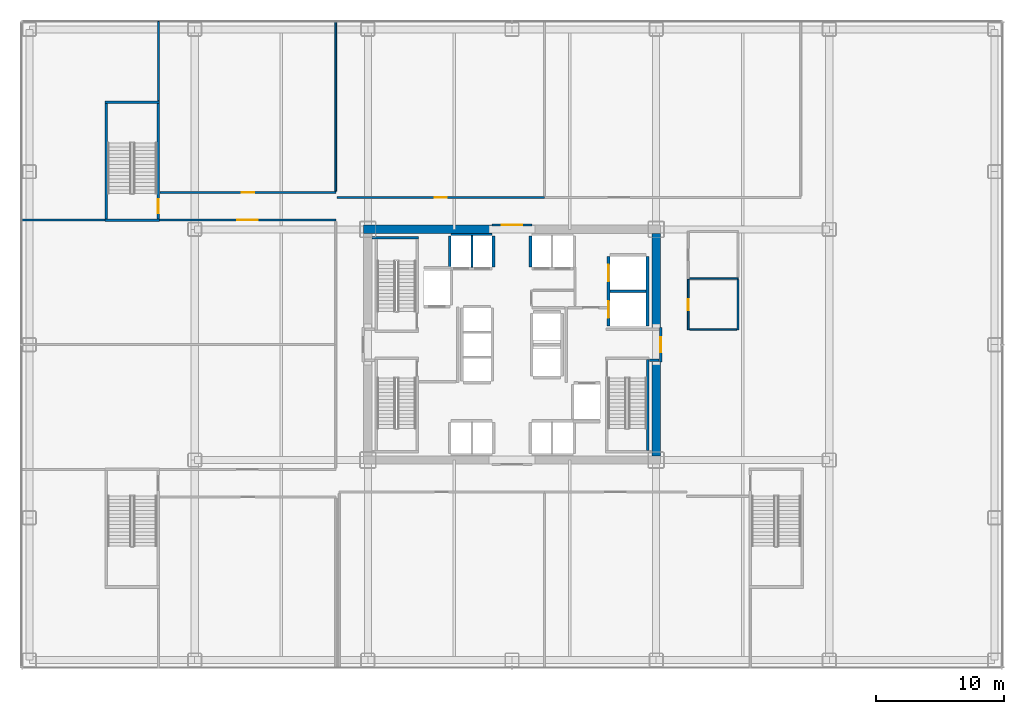
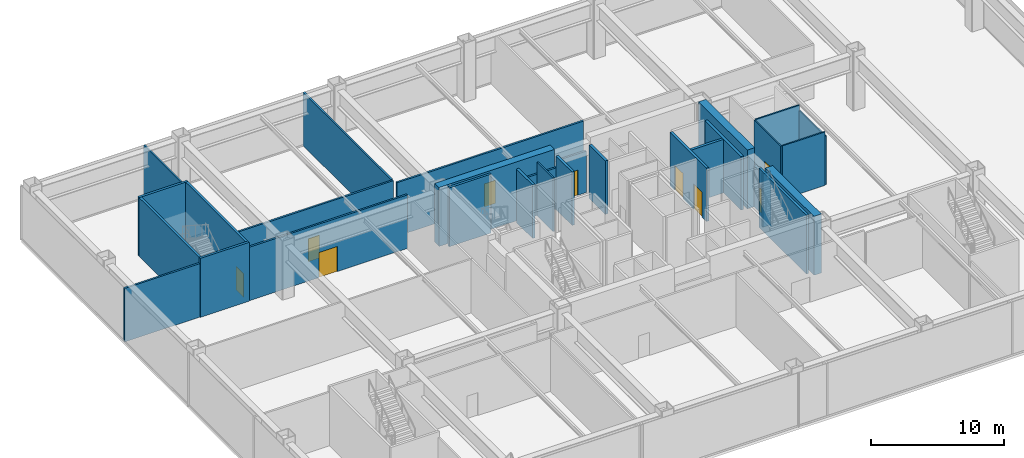
# One storey, part 19 of 24: 30 walls, 9 doors, 9 openings.
"""IFC4 building model written with IfcOpenShell, lengths in metres."""

from ifc_helpers import new_model, si_unit, direction, frame, frame_2d, origin, place, context, subcontext, project, spatial, rectangle, extrude, source, transform, mapped, material, layer, layer_set, type_object, element, fill, save


model = new_model("IFC4")

# Units and contexts
model_context = context("Model", 3, precision=1e-05, world=origin(), true_north=direction((0.0, 1.0)))
body_context = subcontext(model_context, "Body", "Model", "MODEL_VIEW")
ifc_project = project(units=[si_unit("LENGTHUNIT", "METRE"), si_unit("AREAUNIT", "SQUARE_METRE"), si_unit("VOLUMEUNIT", "CUBIC_METRE"), si_unit("PLANEANGLEUNIT", "RADIAN"), si_unit("MASSUNIT", "GRAM", prefix="KILO")], contexts=[model_context])

# Site, building, storey
site_placement = place(None, origin())
site = spatial("IfcSite", under=ifc_project, at=site_placement, CompositionType="ELEMENT")
building_placement = place(site_placement, origin())
building = spatial("IfcBuilding", under=site, at=building_placement, Name="Nefas-Gora Pilgrimage Tower", CompositionType="ELEMENT")
storey_placement = place(building_placement, frame((0.0, 0.0, 22.199951171875)))
storey = spatial("IfcBuildingStorey", under=building, at=storey_placement, Name="L04", CompositionType="ELEMENT", Elevation=22.199951171875)

# Walls
ifc_material_1 = material(Name="Concrete C60/75", Category="concrete")
ifc_layer_1 = layer(ifc_material_1, 0.64990234375)
ifc_layer_set_1 = layer_set([ifc_layer_1], Name="Concrete C60/75")
wall_type_1 = type_object("IfcWallType", Name="SW-CORE-650", PredefinedType="SHEAR", material=ifc_layer_set_1)
shared_shape_1 = source(origin(), body_context, "Body", "SweptSolid", [
    extrude(rectangle(XDim=10.02490234375, YDim=0.64990234375, at=frame_2d((5.012451171875, 0.0))), origin(), (0.0, 0.0, 1.0), 5.400146484375),
])
wall_1_placement = place(storey_placement, frame((-11.574951171875, 9.0, 0.0), z_axis=(0.0, 0.0, 1.0), x_axis=(1.0, 0.0, 0.0)))
element("IfcWall", 1, at=wall_1_placement, inside=storey, type_object=wall_type_1, Name="L04 Core Shear Wall N-West", PredefinedType="SHEAR", context=body_context, shape_type="MappedRepresentation", body=[
    mapped(shared_shape_1, transform((0.0, 0.0, 0.0), x_axis=(1.0, 0.0, 0.0), y_axis=(0.0, 1.0, 0.0), z_axis=(0.0, 0.0, 1.0), scale=1.0)),
])
shared_shape_2 = source(origin(), body_context, "Body", "SweptSolid", [
    extrude(rectangle(XDim=7.324951171875, YDim=0.64990234375, at=frame_2d((3.66259765625, 0.0))), origin(), (0.0, 0.0, 1.0), 5.400146484375),
])
for number, where, z_axis, x_axis, name in (
    (2, (11.25, -8.675048828125, 0.0), (0.0, 0.0, 1.0), (0.0, 1.0, 0.0), "L04 Core Shear Wall E-South"),
    (3, (11.25, 1.35009765625, 0.0), (0.0, 0.0, 1.0), (0.0, 1.0, 0.0), "L04 Core Shear Wall E-North"),
):
    element("IfcWall", number, at=place(storey_placement, frame(where, z_axis=z_axis, x_axis=x_axis)), inside=storey, type_object=wall_type_1, Name=name, PredefinedType="SHEAR", context=body_context, shape_type="MappedRepresentation", body=[
        mapped(shared_shape_2, transform((0.0, 0.0, 0.0), x_axis=(1.0, 0.0, 0.0), y_axis=(0.0, 1.0, 0.0), z_axis=(0.0, 0.0, 1.0), scale=1.0)),
    ])
ifc_material_2 = material(Name="Concrete C45/55", Category="concrete")
ifc_layer_2 = layer(ifc_material_2, 0.199951171875)
ifc_layer_set_2 = layer_set([ifc_layer_2], Name="Concrete C45/55")
wall_type_2 = type_object("IfcWallType", Name="IW-STAIR-200", PredefinedType="SOLIDWALL", material=ifc_layer_set_2)
shared_shape_3 = source(origin(), body_context, "Body", "SweptSolid", [
    extrude(rectangle(XDim=3.6298828125, YDim=0.199951171875, at=frame_2d((1.81494140625, 0.0))), origin(), (0.0, 0.0, 1.0), 5.400146484375),
])
wall_2_placement = place(storey_placement, frame((-7.300048828125, 8.35009765625, 0.0), z_axis=(0.0, 0.0, 1.0), x_axis=(-1.0, 0.0, 0.0)))
element("IfcWall", 4, at=wall_2_placement, inside=storey, type_object=wall_type_2, Name="L04 Stairwell Shear Wall ST-01-far", PredefinedType="SOLIDWALL", context=body_context, shape_type="MappedRepresentation", body=[
    mapped(shared_shape_3, transform((0.0, 0.0, 0.0), x_axis=(1.0, 0.0, 0.0), y_axis=(0.0, 1.0, 0.0), z_axis=(0.0, 0.0, 1.0), scale=1.0)),
])
shared_shape_4 = source(origin(), body_context, "Body", "SweptSolid", [
    extrude(rectangle(XDim=7.10009765625, YDim=0.199951171875, at=frame_2d((3.550048828125, 0.0))), origin(), (0.0, 0.0, 1.0), 5.400146484375),
])
wall_3_placement = place(storey_placement, frame((10.60009765625, -1.14990234375, 0.0), z_axis=(0.0, 0.0, 1.0), x_axis=(0.0, -1.0, 0.0)))
element("IfcWall", 5, at=wall_3_placement, inside=storey, type_object=wall_type_2, Name="L04 Stairwell Shear Wall ST-02-right", PredefinedType="SOLIDWALL", context=body_context, shape_type="MappedRepresentation", body=[
    mapped(shared_shape_4, transform((0.0, 0.0, 0.0), x_axis=(1.0, 0.0, 0.0), y_axis=(0.0, 1.0, 0.0), z_axis=(0.0, 0.0, 1.0), scale=1.0)),
])
shared_shape_5 = source(origin(), body_context, "Body", "SweptSolid", [
    extrude(rectangle(XDim=4.239990234375, YDim=0.199951171875, at=frame_2d((2.1201171875, 0.0))), origin(), (0.0, 0.0, 1.0), 5.400146484375),
])
for number, where, z_axis, x_axis, name in (
    (6, (-27.5, 9.699951171875, 0.0), (0.0, 0.0, 1.0), (-1.0, 0.0, 0.0), "L04 Stairwell Shear Wall ST-04-near"),
    (7, (-27.5, 18.89990234375, 0.0), (0.0, 0.0, 1.0), (-1.0, 0.0, 0.0), "L04 Stairwell Shear Wall ST-04-far"),
):
    element("IfcWall", number, at=place(storey_placement, frame(where, z_axis=z_axis, x_axis=x_axis)), inside=storey, type_object=wall_type_2, Name=name, PredefinedType="SOLIDWALL", context=body_context, shape_type="MappedRepresentation", body=[
        mapped(shared_shape_5, transform((0.0, 0.0, 0.0), x_axis=(1.0, 0.0, 0.0), y_axis=(0.0, 1.0, 0.0), z_axis=(0.0, 0.0, 1.0), scale=1.0)),
    ])

# Wall, opening, door
shared_shape_6 = source(origin(), body_context, "Body", "SweptSolid", [
    extrude(rectangle(XDim=9.0, YDim=0.199951171875, at=frame_2d((4.5, 0.0))), origin(), (0.0, 0.0, 1.0), 5.400146484375),
])
wall_4_placement = place(storey_placement, frame((-27.60009765625, 9.800048828125, 0.0), z_axis=(0.0, 0.0, 1.0), x_axis=(0.0, 1.0, 0.0)))
wall_4 = element("IfcWall", 8, at=wall_4_placement, inside=storey, type_object=wall_type_2, Name="L04 Stairwell Shear Wall ST-04-left", PredefinedType="SOLIDWALL", context=body_context, shape_type="MappedRepresentation", body=[
    mapped(shared_shape_6, transform((0.0, 0.0, 0.0), x_axis=(1.0, 0.0, 0.0), y_axis=(0.0, 1.0, 0.0), z_axis=(0.0, 0.0, 1.0), scale=1.0)),
])
opening_1_placement = place(wall_4_placement, frame((0.449951171875, 0.0, 0.0)))
opening_1 = element("IfcOpeningElement", 9, at=opening_1_placement, cuts=wall_4, Name="Opening ID-ST1", PredefinedType="OPENING", context=body_context, shape_type="SweptSolid", body=[
    extrude(rectangle(XDim=1.10009765625, YDim=2.14990234375, at=frame_2d((0.550048828125, 1.074951171875))), frame((0.0, 0.10986328125, 0.0), z_axis=(0.0, -1.0, 0.0), x_axis=(1.0, 0.0, 0.0)), (0.0, 0.0, 1.0), 0.219970703125),
])
ifc_material_3 = material(Name="Painted galvanised steel fire stair door", Category="steel")
door_type_1 = type_object("IfcDoorType", Name="DR-INT-STAIR-1100", OperationType="NOTDEFINED", PredefinedType="DOOR", material=ifc_material_3)
shared_shape_7 = source(origin(), body_context, "Body", "SweptSolid", [
    extrude(rectangle(XDim=1.10009765625, YDim=2.14990234375, at=frame_2d((0.550048828125, 1.074951171875))), frame((0.0, 0.02490234375, 0.0), z_axis=(0.0, -1.0, 0.0), x_axis=(1.0, 0.0, 0.0)), (0.0, 0.0, 1.0), 0.050048828125),
])
door_1_placement = place(opening_1_placement, origin())
door_1 = element("IfcDoor", 10, at=door_1_placement, inside=storey, type_object=door_type_1, Name="L04 Protected Exit Stair Door ST-04", OperationType="SINGLE_SWING_RIGHT", OverallHeight=2.14990234375, OverallWidth=1.10009765625, PredefinedType="DOOR", context=body_context, shape_type="MappedRepresentation", body=[
    mapped(shared_shape_7, transform((0.0, 0.0, 0.0), x_axis=(1.0, 0.0, 0.0), y_axis=(0.0, 1.0, 0.0), z_axis=(0.0, 0.0, 1.0), scale=1.0)),
])
fill(opening_1, door_1)

# Wall
wall_5_placement = place(storey_placement, frame((-31.639892578125, 9.800048828125, 0.0), z_axis=(0.0, 0.0, 1.0), x_axis=(0.0, 1.0, 0.0)))
element("IfcWall", 11, at=wall_5_placement, inside=storey, type_object=wall_type_2, Name="L04 Stairwell Shear Wall ST-04-right", PredefinedType="SOLIDWALL", context=body_context, shape_type="MappedRepresentation", body=[
    mapped(shared_shape_6, transform((0.0, 0.0, 0.0), x_axis=(1.0, 0.0, 0.0), y_axis=(0.0, 1.0, 0.0), z_axis=(0.0, 0.0, 1.0), scale=1.0)),
])

# Wall, openings, doors
ifc_material_4 = material(Name="Concrete C40/50", Category="concrete")
ifc_layer_3 = layer(ifc_material_4, 0.219970703125)
ifc_layer_set_3 = layer_set([ifc_layer_3], Name="Concrete C40/50")
wall_type_3 = type_object("IfcWallType", Name="IW-SHAFT-220", PredefinedType="SOLIDWALL", material=ifc_layer_set_3)
shared_shape_8 = source(origin(), body_context, "Body", "SweptSolid", [
    extrude(rectangle(XDim=5.449951171875, YDim=0.219970703125, at=frame_2d((2.72509765625, 0.0))), origin(), (0.0, 0.0, 1.0), 4.905029296875),
])
wall_6_placement = place(storey_placement, frame((7.5400390625, 6.89990234375, 0.0), z_axis=(0.0, 0.0, 1.0), x_axis=(0.0, -1.0, 0.0)))
wall_6 = element("IfcWall", 12, at=wall_6_placement, inside=storey, type_object=wall_type_3, Name="L04 Hoistway Wall SL-01-02-W", PredefinedType="SOLIDWALL", context=body_context, shape_type="MappedRepresentation", body=[
    mapped(shared_shape_8, transform((0.0, 0.0, 0.0), x_axis=(1.0, 0.0, 0.0), y_axis=(0.0, 1.0, 0.0), z_axis=(0.0, 0.0, 1.0), scale=1.0)),
])
opening_2_placement = place(wall_6_placement, frame((3.5, 0.0, 0.0)))
opening_2 = element("IfcOpeningElement", 13, at=opening_2_placement, cuts=wall_6, Name="Opening LD-SV", PredefinedType="OPENING", context=body_context, shape_type="SweptSolid", body=[
    extrude(rectangle(XDim=1.300048828125, YDim=2.300048828125, at=frame_2d((0.64990234375, 1.14990234375))), frame((0.0, 0.119873046875, 0.0), z_axis=(0.0, -1.0, 0.0), x_axis=(1.0, 0.0, 0.0)), (0.0, 0.0, 1.0), 0.239990234375),
])
opening_3_placement = place(wall_6_placement, frame((0.64990234375, 0.0, 0.0)))
opening_3 = element("IfcOpeningElement", 14, at=opening_3_placement, cuts=wall_6, Name="Opening LD-SV", PredefinedType="OPENING", context=body_context, shape_type="SweptSolid", body=[
    extrude(rectangle(XDim=1.300048828125, YDim=2.300048828125, at=frame_2d((0.64990234375, 1.14990234375))), frame((0.0, 0.119873046875, 0.0), z_axis=(0.0, -1.0, 0.0), x_axis=(1.0, 0.0, 0.0)), (0.0, 0.0, 1.0), 0.239990234375),
])
ifc_material_5 = material(Name="Heavy goods sliding lift landing door")
door_type_2 = type_object("IfcDoorType", Name="DR-LIFT-SERV-1300", OperationType="SLIDING_TO_RIGHT", PredefinedType="DOOR", material=ifc_material_5)
shared_shape_9 = source(origin(), body_context, "Body", "SweptSolid", [
    extrude(rectangle(XDim=1.300048828125, YDim=2.300048828125, at=frame_2d((0.64990234375, 1.14990234375))), frame((0.0, 0.02490234375, 0.0), z_axis=(0.0, -1.0, 0.0), x_axis=(1.0, 0.0, 0.0)), (0.0, 0.0, 1.0), 0.050048828125),
])
door_2_placement = place(opening_2_placement, origin())
door_2 = element("IfcDoor", 15, at=door_2_placement, inside=storey, type_object=door_type_2, Name="L04 Sliding Lift Landing Door SL-01", OperationType="SLIDING_TO_RIGHT", OverallHeight=2.300048828125, OverallWidth=1.300048828125, PredefinedType="DOOR", context=body_context, shape_type="MappedRepresentation", body=[
    mapped(shared_shape_9, transform((0.0, 0.0, 0.0), x_axis=(1.0, 0.0, 0.0), y_axis=(0.0, 1.0, 0.0), z_axis=(0.0, 0.0, 1.0), scale=1.0)),
])
fill(opening_2, door_2)
door_3_placement = place(opening_3_placement, origin())
door_3 = element("IfcDoor", 16, at=door_3_placement, inside=storey, type_object=door_type_2, Name="L04 Sliding Lift Landing Door SL-02", OperationType="SLIDING_TO_RIGHT", OverallHeight=2.300048828125, OverallWidth=1.300048828125, PredefinedType="DOOR", context=body_context, shape_type="MappedRepresentation", body=[
    mapped(shared_shape_9, transform((0.0, 0.0, 0.0), x_axis=(1.0, 0.0, 0.0), y_axis=(0.0, 1.0, 0.0), z_axis=(0.0, 0.0, 1.0), scale=1.0)),
])
fill(opening_3, door_3)

# Walls
wall_7_placement = place(storey_placement, frame((10.56005859375, 1.449951171875, 0.0), z_axis=(0.0, 0.0, 1.0), x_axis=(0.0, 1.0, 0.0)))
element("IfcWall", 17, at=wall_7_placement, inside=storey, type_object=wall_type_3, Name="L04 Hoistway Wall SL-01-02-E", PredefinedType="SOLIDWALL", context=body_context, shape_type="MappedRepresentation", body=[
    mapped(shared_shape_8, transform((0.0, 0.0, 0.0), x_axis=(1.0, 0.0, 0.0), y_axis=(0.0, 1.0, 0.0), z_axis=(0.0, 0.0, 1.0), scale=1.0)),
])
shared_shape_10 = source(origin(), body_context, "Body", "SweptSolid", [
    extrude(rectangle(XDim=2.780029296875, YDim=0.219970703125, at=frame_2d((1.39013671875, 0.0))), origin(), (0.0, 0.0, 1.0), 4.905029296875),
])
wall_8_placement = place(storey_placement, frame((7.659912109375, 4.175048828125, 0.0), z_axis=(0.0, 0.0, 1.0), x_axis=(1.0, 0.0, 0.0)))
element("IfcWall", 18, at=wall_8_placement, inside=storey, type_object=wall_type_3, Name="L04 Hoistway Wall SL-01-02-DIV", PredefinedType="SOLIDWALL", context=body_context, shape_type="MappedRepresentation", body=[
    mapped(shared_shape_10, transform((0.0, 0.0, 0.0), x_axis=(1.0, 0.0, 0.0), y_axis=(0.0, 1.0, 0.0), z_axis=(0.0, 0.0, 1.0), scale=1.0)),
])
ifc_material_6 = material(Name="Gypsum acoustic stud partition")
ifc_layer_4 = layer(ifc_material_6, 0.159912109375)
ifc_layer_set_4 = layer_set([ifc_layer_4], Name="Gypsum acoustic stud partition")
wall_type_4 = type_object("IfcWallType", Name="IW-CORR-160", PredefinedType="PARTITIONING", material=ifc_layer_set_4)
shared_shape_11 = source(origin(), body_context, "Body", "SweptSolid", [
    extrude(rectangle(XDim=3.199951171875, YDim=0.159912109375, at=frame_2d((1.60009765625, 0.0))), origin(), (0.0, 0.0, 1.0), 3.795166015625),
])
wall_9_placement = place(storey_placement, frame((-1.550048828125, 8.580078125, 0.0), z_axis=(0.0, 0.0, 1.0), x_axis=(-1.0, 0.0, 0.0)))
element("IfcWall", 19, at=wall_9_placement, inside=storey, type_object=wall_type_4, Name="L04 Hoistway Wall PL1-W-N", PredefinedType="PARTITIONING", context=body_context, shape_type="MappedRepresentation", body=[
    mapped(shared_shape_11, transform((0.0, 0.0, 0.0), x_axis=(1.0, 0.0, 0.0), y_axis=(0.0, 1.0, 0.0), z_axis=(0.0, 0.0, 1.0), scale=1.0)),
])
shared_shape_12 = source(origin(), body_context, "Body", "SweptSolid", [
    extrude(rectangle(XDim=2.429931640625, YDim=0.219970703125, at=frame_2d((1.21484375, 0.0))), origin(), (0.0, 0.0, 1.0), 4.905029296875),
])
for number, where, z_axis, x_axis, name in (
    (20, (-4.860107421875, 8.489990234375, 0.0), (0.0, 0.0, 1.0), (0.0, -1.0, 0.0), "L04 Hoistway Wall PL1-W-W"),
    (21, (-1.43994140625, 6.06005859375, 0.0), (0.0, 0.0, 1.0), (0.0, 1.0, 0.0), "L04 Hoistway Wall PL1-W-E"),
    (22, (1.43994140625, 8.489990234375, 0.0), (0.0, 0.0, 1.0), (0.0, -1.0, 0.0), "L04 Hoistway Wall PL1-E-W"),
):
    element("IfcWall", number, at=place(storey_placement, frame(where, z_axis=z_axis, x_axis=x_axis)), inside=storey, type_object=wall_type_3, Name=name, PredefinedType="SOLIDWALL", context=body_context, shape_type="MappedRepresentation", body=[
        mapped(shared_shape_12, transform((0.0, 0.0, 0.0), x_axis=(1.0, 0.0, 0.0), y_axis=(0.0, 1.0, 0.0), z_axis=(0.0, 0.0, 1.0), scale=1.0)),
    ])
ifc_material_7 = material(Name="Gypsum twin-stud partition")
ifc_layer_5 = layer(ifc_material_7, 0.139892578125)
ifc_layer_set_5 = layer_set([ifc_layer_5], Name="Gypsum twin-stud partition")
wall_type_5 = type_object("IfcWallType", Name="IW-UNIT-140", PredefinedType="PARTITIONING", material=ifc_layer_set_5)
shared_shape_13 = source(origin(), body_context, "Body", "SweptSolid", [
    extrude(rectangle(XDim=2.429931640625, YDim=0.139892578125, at=frame_2d((1.21484375, 0.0))), origin(), (0.0, 0.0, 1.0), 4.905029296875),
])
wall_10_placement = place(storey_placement, frame((-3.125, 6.06005859375, 0.0), z_axis=(0.0, 0.0, 1.0), x_axis=(0.0, 1.0, 0.0)))
element("IfcWall", 23, at=wall_10_placement, inside=storey, type_object=wall_type_5, Name="L04 Hoistway Wall PL1-W-DIV", PredefinedType="PARTITIONING", context=body_context, shape_type="MappedRepresentation", body=[
    mapped(shared_shape_13, transform((0.0, 0.0, 0.0), x_axis=(1.0, 0.0, 0.0), y_axis=(0.0, 1.0, 0.0), z_axis=(0.0, 0.0, 1.0), scale=1.0)),
])

# Wall, opening, door
ifc_material_8 = material(Name="Gypsum fire-rated shaftwall")
ifc_layer_6 = layer(ifc_material_8, 0.199951171875)
ifc_layer_set_6 = layer_set([ifc_layer_6], Name="Gypsum fire-rated shaftwall")
wall_type_6 = type_object("IfcWallType", Name="IW-FFLOB-200", PredefinedType="PARTITIONING", material=ifc_layer_set_6)
shared_shape_14 = source(origin(), body_context, "Body", "SweptSolid", [
    extrude(rectangle(XDim=2.7001953125, YDim=0.199951171875, at=frame_2d((1.35009765625, 0.0))), origin(), (0.0, 0.0, 1.0), 3.795166015625),
])
wall_11_placement = place(storey_placement, frame((11.60009765625, -1.35009765625, 0.0), z_axis=(0.0, 0.0, 1.0), x_axis=(0.0, 1.0, 0.0)))
wall_11 = element("IfcWall", 24, at=wall_11_placement, inside=storey, type_object=wall_type_6, Name="L04 FF Lobby East Portal Wall 8", PredefinedType="PARTITIONING", context=body_context, shape_type="MappedRepresentation", body=[
    mapped(shared_shape_14, transform((0.0, 0.0, 0.0), x_axis=(1.0, 0.0, 0.0), y_axis=(0.0, 1.0, 0.0), z_axis=(0.0, 0.0, 1.0), scale=1.0)),
])
opening_4_placement = place(wall_11_placement, frame((0.75, 0.0, 0.0)))
opening_4 = element("IfcOpeningElement", 25, at=opening_4_placement, cuts=wall_11, Name="Opening ID-FF1", PredefinedType="OPENING", context=body_context, shape_type="SweptSolid", body=[
    extrude(rectangle(XDim=1.199951171875, YDim=2.14990234375, at=frame_2d((0.60009765625, 1.074951171875))), frame((0.0, 0.10986328125, 0.0), z_axis=(0.0, -1.0, 0.0), x_axis=(1.0, 0.0, 0.0)), (0.0, 0.0, 1.0), 0.219970703125),
])
ifc_material_9 = material(Name="Smoke-sealed steel firefighting lobby door", Category="steel")
door_type_3 = type_object("IfcDoorType", Name="DR-INT-FFLOB-1200", OperationType="NOTDEFINED", PredefinedType="DOOR", material=ifc_material_9)
shared_shape_15 = source(origin(), body_context, "Body", "SweptSolid", [
    extrude(rectangle(XDim=1.199951171875, YDim=2.14990234375, at=frame_2d((0.60009765625, 1.074951171875))), frame((0.0, 0.02490234375, 0.0), z_axis=(0.0, -1.0, 0.0), x_axis=(1.0, 0.0, 0.0)), (0.0, 0.0, 1.0), 0.050048828125),
])
door_4_placement = place(opening_4_placement, origin())
door_4 = element("IfcDoor", 26, at=door_4_placement, inside=storey, type_object=door_type_3, Name="L04 FF Lobby East Portal Door 2", OperationType="SINGLE_SWING_RIGHT", OverallHeight=2.14990234375, OverallWidth=1.199951171875, PredefinedType="DOOR", context=body_context, shape_type="MappedRepresentation", body=[
    mapped(shared_shape_15, transform((0.0, 0.0, 0.0), x_axis=(1.0, 0.0, 0.0), y_axis=(0.0, 1.0, 0.0), z_axis=(0.0, 0.0, 1.0), scale=1.0)),
])
fill(opening_4, door_4)

# Wall
shared_shape_16 = source(origin(), body_context, "Body", "SweptSolid", [
    extrude(rectangle(XDim=0.719970703125, YDim=0.199951171875, at=frame_2d((0.35986328125, 0.0))), origin(), (0.0, 0.0, 1.0), 4.905029296875),
])
wall_12_placement = place(storey_placement, frame((10.739990234375, -1.219970703125, 0.0), z_axis=(0.0, 0.0, 1.0), x_axis=(1.0, 0.0, 0.0)))
element("IfcWall", 27, at=wall_12_placement, inside=storey, type_object=wall_type_6, Name="L04 FF Lobby East Throat S Wall 13", PredefinedType="PARTITIONING", context=body_context, shape_type="MappedRepresentation", body=[
    mapped(shared_shape_16, transform((0.0, 0.0, 0.0), x_axis=(1.0, 0.0, 0.0), y_axis=(0.0, 1.0, 0.0), z_axis=(0.0, 0.0, 1.0), scale=1.0)),
])

# Wall, opening, door
shared_shape_17 = source(origin(), body_context, "Body", "SweptSolid", [
    extrude(rectangle(XDim=3.08984375, YDim=0.159912109375, at=frame_2d((1.544921875, 0.0))), origin(), (0.0, 0.0, 1.0), 3.795166015625),
])
wall_13_placement = place(storey_placement, frame((-1.544921875, 9.35009765625, 0.0), z_axis=(0.0, 0.0, 1.0), x_axis=(1.0, 0.0, 0.0)))
wall_13 = element("IfcWall", 28, at=wall_13_placement, inside=storey, type_object=wall_type_4, Name="L04 Central Lift Lobby North Portal Wall 14", PredefinedType="PARTITIONING", context=body_context, shape_type="MappedRepresentation", body=[
    mapped(shared_shape_17, transform((0.0, 0.0, 0.0), x_axis=(1.0, 0.0, 0.0), y_axis=(0.0, 1.0, 0.0), z_axis=(0.0, 0.0, 1.0), scale=1.0)),
])
opening_5_placement = place(wall_13_placement, frame((0.7451171875, 0.0, 0.0)))
opening_5 = element("IfcOpeningElement", 29, at=opening_5_placement, cuts=wall_13, Name="Opening ID-HL1", PredefinedType="OPENING", context=body_context, shape_type="SweptSolid", body=[
    extrude(rectangle(XDim=1.60009765625, YDim=2.300048828125, at=frame_2d((0.800048828125, 1.14990234375))), frame((0.0, 0.08984375, 0.0), z_axis=(0.0, -1.0, 0.0), x_axis=(1.0, 0.0, 0.0)), (0.0, 0.0, 1.0), 0.179931640625),
])
ifc_material_10 = material(Name="Double acoustic timber assembly hall door", Category="wood")
door_type_4 = type_object("IfcDoorType", Name="DR-INT-HALL-1600", OperationType="DOUBLE_DOOR_SINGLE_SWING", PredefinedType="DOOR", material=ifc_material_10)
shared_shape_18 = source(origin(), body_context, "Body", "SweptSolid", [
    extrude(rectangle(XDim=1.60009765625, YDim=2.300048828125, at=frame_2d((0.800048828125, 1.14990234375))), frame((0.0, 0.02490234375, 0.0), z_axis=(0.0, -1.0, 0.0), x_axis=(1.0, 0.0, 0.0)), (0.0, 0.0, 1.0), 0.050048828125),
])
door_5_placement = place(opening_5_placement, origin())
door_5 = element("IfcDoor", 30, at=door_5_placement, inside=storey, type_object=door_type_4, Name="L04 Central Lift Lobby North Portal Door 4", OperationType="DOUBLE_DOOR_SINGLE_SWING", OverallHeight=2.300048828125, OverallWidth=1.60009765625, PredefinedType="DOOR", context=body_context, shape_type="MappedRepresentation", body=[
    mapped(shared_shape_18, transform((0.0, 0.0, 0.0), x_axis=(1.0, 0.0, 0.0), y_axis=(0.0, 1.0, 0.0), z_axis=(0.0, 0.0, 1.0), scale=1.0)),
])
fill(opening_5, door_5)

# Wall
ifc_material_11 = material(Name="Moisture-resistant fire-rated gypsum partition")
ifc_layer_7 = layer(ifc_material_11, 0.1201171875)
ifc_layer_set_7 = layer_set([ifc_layer_7], Name="Moisture-resistant fire-rated gypsum partition")
wall_type_7 = type_object("IfcWallType", Name="IW-WET-120", PredefinedType="PLUMBINGWALL", material=ifc_layer_set_7)
shared_shape_19 = source(origin(), body_context, "Body", "SweptSolid", [
    extrude(rectangle(XDim=3.789794921875, YDim=0.1201171875, at=frame_2d((1.89501953125, 0.0))), origin(), (0.0, 0.0, 1.0), 4.905029296875),
])
wall_14_placement = place(storey_placement, frame((13.85009765625, 5.169921875, 0.0), z_axis=(0.0, 0.0, 1.0), x_axis=(1.0, 0.0, 0.0)))
element("IfcWall", 31, at=wall_14_placement, inside=storey, type_object=wall_type_7, Name="L04 L04 Podium Accessible WC Partition Wall 20", PredefinedType="PLUMBINGWALL", context=body_context, shape_type="MappedRepresentation", body=[
    mapped(shared_shape_19, transform((0.0, 0.0, 0.0), x_axis=(1.0, 0.0, 0.0), y_axis=(0.0, 1.0, 0.0), z_axis=(0.0, 0.0, 1.0), scale=1.0)),
])

# Wall, opening, door
shared_shape_20 = source(origin(), body_context, "Body", "SweptSolid", [
    extrude(rectangle(XDim=3.93017578125, YDim=0.1201171875, at=frame_2d((1.965087890625, 0.0))), origin(), (0.0, 0.0, 1.0), 4.905029296875),
])
wall_15_placement = place(storey_placement, frame((13.75, 1.159912109375, 0.0), z_axis=(0.0, 0.0, 1.0), x_axis=(0.0, 1.0, 0.0)))
wall_15 = element("IfcWall", 32, at=wall_15_placement, inside=storey, type_object=wall_type_7, Name="L04 L04 Podium Public Washroom WC Partition Wall 23", PredefinedType="PLUMBINGWALL", context=body_context, shape_type="MappedRepresentation", body=[
    mapped(shared_shape_20, transform((0.0, 0.0, 0.0), x_axis=(1.0, 0.0, 0.0), y_axis=(0.0, 1.0, 0.0), z_axis=(0.0, 0.0, 1.0), scale=1.0)),
])
opening_6_placement = place(wall_15_placement, frame((1.5400390625, 0.0, 0.0)))
opening_6 = element("IfcOpeningElement", 33, at=opening_6_placement, cuts=wall_15, Name="Opening ID-BT1", PredefinedType="OPENING", context=body_context, shape_type="SweptSolid", body=[
    extrude(rectangle(XDim=0.85009765625, YDim=2.10009765625, at=frame_2d((0.425048828125, 1.050048828125))), frame((0.0, 0.070068359375, 0.0), z_axis=(0.0, -1.0, 0.0), x_axis=(1.0, 0.0, 0.0)), (0.0, 0.0, 1.0), 0.14013671875),
])
ifc_material_12 = material(Name="Moisture-resistant fire-rated timber door", Category="wood")
door_type_5 = type_object("IfcDoorType", Name="DR-INT-BATH-850", OperationType="NOTDEFINED", PredefinedType="DOOR", material=ifc_material_12)
shared_shape_21 = source(origin(), body_context, "Body", "SweptSolid", [
    extrude(rectangle(XDim=0.85009765625, YDim=2.10009765625, at=frame_2d((0.425048828125, 1.050048828125))), frame((0.0, 0.02490234375, 0.0), z_axis=(0.0, -1.0, 0.0), x_axis=(1.0, 0.0, 0.0)), (0.0, 0.0, 1.0), 0.050048828125),
])
door_6_placement = place(opening_6_placement, origin())
door_6 = element("IfcDoor", 34, at=door_6_placement, inside=storey, type_object=door_type_5, Name="L04 L04 Podium Public Washroom WC Door 8", OperationType="SINGLE_SWING_RIGHT", OverallHeight=2.10009765625, OverallWidth=0.85009765625, PredefinedType="DOOR", context=body_context, shape_type="MappedRepresentation", body=[
    mapped(shared_shape_21, transform((0.0, 0.0, 0.0), x_axis=(1.0, 0.0, 0.0), y_axis=(0.0, 1.0, 0.0), z_axis=(0.0, 0.0, 1.0), scale=1.0)),
])
fill(opening_6, door_6)

# Walls
shared_shape_22 = source(origin(), body_context, "Body", "SweptSolid", [
    extrude(rectangle(XDim=3.91015625, YDim=0.1201171875, at=frame_2d((1.955078125, 0.0))), origin(), (0.0, 0.0, 1.0), 4.445068359375),
])
wall_16_placement = place(storey_placement, frame((17.6298828125, 1.159912109375, 0.0), z_axis=(0.0, 0.0, 1.0), x_axis=(0.0, 1.0, 0.0)))
element("IfcWall", 35, at=wall_16_placement, inside=storey, type_object=wall_type_7, Name="L04 L04 Podium Public Washroom WC Partition Wall 24", PredefinedType="PLUMBINGWALL", context=body_context, shape_type="MappedRepresentation", body=[
    mapped(shared_shape_22, transform((0.0, 0.0, 0.0), x_axis=(1.0, 0.0, 0.0), y_axis=(0.0, 1.0, 0.0), z_axis=(0.0, 0.0, 1.0), scale=1.0)),
])
shared_shape_23 = source(origin(), body_context, "Body", "SweptSolid", [
    extrude(rectangle(XDim=3.679931640625, YDim=0.1201171875, at=frame_2d((1.83984375, 0.0))), origin(), (0.0, 0.0, 1.0), 4.905029296875),
])
wall_17_placement = place(storey_placement, frame((13.85009765625, 1.169921875, 0.0), z_axis=(0.0, 0.0, 1.0), x_axis=(1.0, 0.0, 0.0)))
element("IfcWall", 36, at=wall_17_placement, inside=storey, type_object=wall_type_7, Name="L04 L04 Podium Public Washroom WC Partition Wall 25", PredefinedType="PLUMBINGWALL", context=body_context, shape_type="MappedRepresentation", body=[
    mapped(shared_shape_23, transform((0.0, 0.0, 0.0), x_axis=(1.0, 0.0, 0.0), y_axis=(0.0, 1.0, 0.0), z_axis=(0.0, 0.0, 1.0), scale=1.0)),
])

# Wall, opening, door
shared_shape_24 = source(origin(), body_context, "Body", "SweptSolid", [
    extrude(rectangle(XDim=13.755126953125, YDim=0.159912109375, at=frame_2d((6.87744140625, 0.0))), origin(), (0.0, 0.0, 1.0), 4.905029296875),
])
wall_18_placement = place(storey_placement, frame((-27.4951171875, 9.72998046875, 0.0), z_axis=(0.0, 0.0, 1.0), x_axis=(1.0, 0.0, 0.0)))
wall_18 = element("IfcWall", 37, at=wall_18_placement, inside=storey, type_object=wall_type_4, Name="L04 Pilgrim Refectory Dining Hall North-West Partition Wall 26", PredefinedType="PARTITIONING", context=body_context, shape_type="MappedRepresentation", body=[
    mapped(shared_shape_24, transform((0.0, 0.0, 0.0), x_axis=(1.0, 0.0, 0.0), y_axis=(0.0, 1.0, 0.0), z_axis=(0.0, 0.0, 1.0), scale=1.0)),
])
opening_7_placement = place(wall_18_placement, frame((6.077392578125, 0.0, 0.0)))
opening_7 = element("IfcOpeningElement", 38, at=opening_7_placement, cuts=wall_18, Name="Opening ID-HL1", PredefinedType="OPENING", context=body_context, shape_type="SweptSolid", body=[
    extrude(rectangle(XDim=1.60009765625, YDim=2.300048828125, at=frame_2d((0.800048828125, 1.14990234375))), frame((0.0, 0.08984375, 0.0), z_axis=(0.0, -1.0, 0.0), x_axis=(1.0, 0.0, 0.0)), (0.0, 0.0, 1.0), 0.179931640625),
])
door_7_placement = place(opening_7_placement, origin())
door_7 = element("IfcDoor", 39, at=door_7_placement, inside=storey, type_object=door_type_4, Name="L04 Pilgrim Refectory Dining Hall North-West Door 9", OperationType="DOUBLE_DOOR_SINGLE_SWING", OverallHeight=2.300048828125, OverallWidth=1.60009765625, PredefinedType="DOOR", context=body_context, shape_type="MappedRepresentation", body=[
    mapped(shared_shape_18, transform((0.0, 0.0, 0.0), x_axis=(1.0, 0.0, 0.0), y_axis=(0.0, 1.0, 0.0), z_axis=(0.0, 0.0, 1.0), scale=1.0)),
])
fill(opening_7, door_7)

# Wall
shared_shape_25 = source(origin(), body_context, "Body", "SweptSolid", [
    extrude(rectangle(XDim=6.52490234375, YDim=0.159912109375, at=frame_2d((3.262451171875, 0.0))), origin(), (0.0, 0.0, 1.0), 4.905029296875),
])
wall_19_placement = place(storey_placement, frame((-38.27001953125, 9.72998046875, 0.0), z_axis=(0.0, 0.0, 1.0), x_axis=(1.0, 0.0, 0.0)))
element("IfcWall", 40, at=wall_19_placement, inside=storey, type_object=wall_type_4, Name="L04 Pilgrim Refectory Dining Hall North-West Partition Wall 27", PredefinedType="PARTITIONING", context=body_context, shape_type="MappedRepresentation", body=[
    mapped(shared_shape_25, transform((0.0, 0.0, 0.0), x_axis=(1.0, 0.0, 0.0), y_axis=(0.0, 1.0, 0.0), z_axis=(0.0, 0.0, 1.0), scale=1.0)),
])

# Wall, opening, door
shared_shape_26 = source(origin(), body_context, "Body", "SweptSolid", [
    extrude(rectangle(XDim=13.719970703125, YDim=0.159912109375, at=frame_2d((6.85986328125, 0.0))), origin(), (0.0, 0.0, 1.0), 4.905029296875),
])
wall_20_placement = place(storey_placement, frame((-27.4599609375, 11.8701171875, 0.0), z_axis=(0.0, 0.0, 1.0), x_axis=(1.0, 0.0, 0.0)))
wall_20 = element("IfcWall", 41, at=wall_20_placement, inside=storey, type_object=wall_type_4, Name="L04 Commercial Preparation Kitchen Partition Wall 33", PredefinedType="PARTITIONING", context=body_context, shape_type="MappedRepresentation", body=[
    mapped(shared_shape_26, transform((0.0, 0.0, 0.0), x_axis=(1.0, 0.0, 0.0), y_axis=(0.0, 1.0, 0.0), z_axis=(0.0, 0.0, 1.0), scale=1.0)),
])
opening_8_placement = place(wall_20_placement, frame((6.385009765625, 0.0, 0.0)))
opening_8 = element("IfcOpeningElement", 42, at=opening_8_placement, cuts=wall_20, Name="Opening ID-GR1", PredefinedType="OPENING", context=body_context, shape_type="SweptSolid", body=[
    extrude(rectangle(XDim=0.949951171875, YDim=2.10009765625, at=frame_2d((0.47509765625, 1.050048828125))), frame((0.0, 0.08984375, 0.0), z_axis=(0.0, -1.0, 0.0), x_axis=(1.0, 0.0, 0.0)), (0.0, 0.0, 1.0), 0.179931640625),
])
ifc_material_13 = material(Name="Solid core oak fire-rated guest entrance door")
door_type_6 = type_object("IfcDoorType", Name="DR-INT-GUEST-950", OperationType="NOTDEFINED", PredefinedType="DOOR", material=ifc_material_13)
shared_shape_27 = source(origin(), body_context, "Body", "SweptSolid", [
    extrude(rectangle(XDim=0.949951171875, YDim=2.10009765625, at=frame_2d((0.47509765625, 1.050048828125))), frame((0.0, 0.02490234375, 0.0), z_axis=(0.0, -1.0, 0.0), x_axis=(1.0, 0.0, 0.0)), (0.0, 0.0, 1.0), 0.050048828125),
])
door_8_placement = place(opening_8_placement, origin())
door_8 = element("IfcDoor", 43, at=door_8_placement, inside=storey, type_object=door_type_6, Name="L04 Commercial Preparation Kitchen Door 11", OperationType="SINGLE_SWING_LEFT", OverallHeight=2.10009765625, OverallWidth=0.949951171875, PredefinedType="DOOR", context=body_context, shape_type="MappedRepresentation", body=[
    mapped(shared_shape_27, transform((0.0, 0.0, 0.0), x_axis=(1.0, 0.0, 0.0), y_axis=(0.0, 1.0, 0.0), z_axis=(0.0, 0.0, 1.0), scale=1.0)),
])
fill(opening_8, door_8)

# Walls
shared_shape_28 = source(origin(), body_context, "Body", "SweptSolid", [
    extrude(rectangle(XDim=6.179931640625, YDim=0.139892578125, at=frame_2d((3.08984375, 0.0))), origin(), (0.0, 0.0, 1.0), 4.905029296875),
])
wall_21_placement = place(storey_placement, frame((-27.580078125, 19.0400390625, 0.0), z_axis=(0.0, 0.0, 1.0), x_axis=(0.0, 1.0, 0.0)))
element("IfcWall", 44, at=wall_21_placement, inside=storey, type_object=wall_type_5, Name="L04 Commercial Preparation Kitchen Partition Wall 34", PredefinedType="PARTITIONING", context=body_context, shape_type="MappedRepresentation", body=[
    mapped(shared_shape_28, transform((0.0, 0.0, 0.0), x_axis=(1.0, 0.0, 0.0), y_axis=(0.0, 1.0, 0.0), z_axis=(0.0, 0.0, 1.0), scale=1.0)),
])
shared_shape_29 = source(origin(), body_context, "Body", "SweptSolid", [
    extrude(rectangle(XDim=13.22998046875, YDim=0.139892578125, at=frame_2d((6.614990234375, 0.0))), origin(), (0.0, 0.0, 1.0), 4.905029296875),
])
wall_22_placement = place(storey_placement, frame((-13.75, 11.989990234375, 0.0), z_axis=(0.0, 0.0, 1.0), x_axis=(0.0, 1.0, 0.0)))
element("IfcWall", 45, at=wall_22_placement, inside=storey, type_object=wall_type_5, Name="L04 Commercial Preparation Kitchen Partition Wall 35", PredefinedType="PARTITIONING", context=body_context, shape_type="MappedRepresentation", body=[
    mapped(shared_shape_29, transform((0.0, 0.0, 0.0), x_axis=(1.0, 0.0, 0.0), y_axis=(0.0, 1.0, 0.0), z_axis=(0.0, 0.0, 1.0), scale=1.0)),
])

# Wall, opening, door
shared_shape_30 = source(origin(), body_context, "Body", "SweptSolid", [
    extrude(rectangle(XDim=16.179931640625, YDim=0.159912109375, at=frame_2d((8.08984375, 0.0))), origin(), (0.0, 0.0, 1.0), 4.905029296875),
])
wall_23_placement = place(storey_placement, frame((-13.639892578125, 11.489990234375, 0.0), z_axis=(0.0, 0.0, 1.0), x_axis=(1.0, 0.0, 0.0)))
wall_23 = element("IfcWall", 46, at=wall_23_placement, inside=storey, type_object=wall_type_4, Name="L04 Highland Bakery and Pastry Servery Partition Wall 36", PredefinedType="PARTITIONING", context=body_context, shape_type="MappedRepresentation", body=[
    mapped(shared_shape_30, transform((0.0, 0.0, 0.0), x_axis=(1.0, 0.0, 0.0), y_axis=(0.0, 1.0, 0.0), z_axis=(0.0, 0.0, 1.0), scale=1.0)),
])
opening_9_placement = place(wall_23_placement, frame((7.614990234375, 0.0, 0.0)))
opening_9 = element("IfcOpeningElement", 47, at=opening_9_placement, cuts=wall_23, Name="Opening ID-GR1", PredefinedType="OPENING", context=body_context, shape_type="SweptSolid", body=[
    extrude(rectangle(XDim=0.949951171875, YDim=2.10009765625, at=frame_2d((0.47509765625, 1.050048828125))), frame((0.0, 0.08984375, 0.0), z_axis=(0.0, -1.0, 0.0), x_axis=(1.0, 0.0, 0.0)), (0.0, 0.0, 1.0), 0.179931640625),
])
door_9_placement = place(opening_9_placement, origin())
door_9 = element("IfcDoor", 48, at=door_9_placement, inside=storey, type_object=door_type_6, Name="L04 Highland Bakery and Pastry Servery Door 12", OperationType="SINGLE_SWING_RIGHT", OverallHeight=2.10009765625, OverallWidth=0.949951171875, PredefinedType="DOOR", context=body_context, shape_type="MappedRepresentation", body=[
    mapped(shared_shape_27, transform((0.0, 0.0, 0.0), x_axis=(1.0, 0.0, 0.0), y_axis=(0.0, 1.0, 0.0), z_axis=(0.0, 0.0, 1.0), scale=1.0)),
])
fill(opening_9, door_9)

save(model, "model.ifc")
